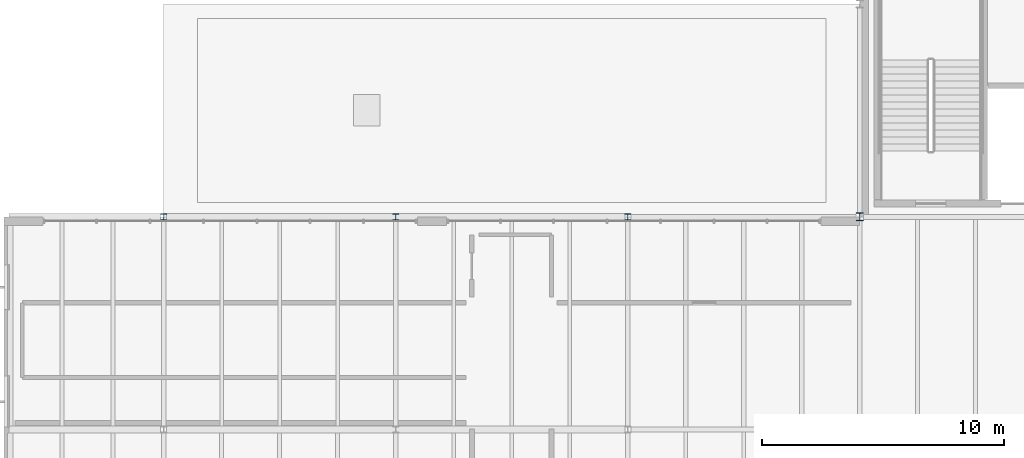
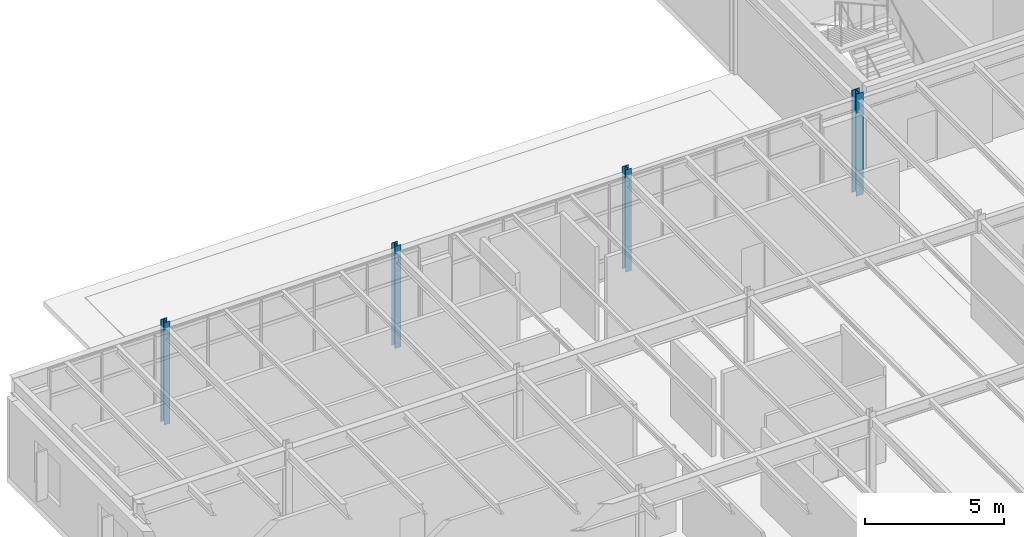
# One storey, part 8 of 69: 4 columns.
"""IFC4 building model written with IfcOpenShell, lengths in metres."""

from ifc_helpers import new_model, si_unit, direction, frame, origin, origin_2d, place, context, subcontext, project, spatial, i_section, extrude, material, material_profile, profile_set, type_object, element, save


model = new_model("IFC4")

# Units and contexts
model_context = context("Model", 3, precision=1e-05, world=origin(), true_north=direction((0.0, 1.0)))
body_context = subcontext(model_context, "Body", "Model", "MODEL_VIEW")
ifc_project = project(units=[si_unit("LENGTHUNIT", "METRE"), si_unit("AREAUNIT", "SQUARE_METRE"), si_unit("VOLUMEUNIT", "CUBIC_METRE"), si_unit("PLANEANGLEUNIT", "RADIAN"), si_unit("MASSUNIT", "GRAM", prefix="KILO")], contexts=[model_context])

# Site, building, storey
site_placement = place(None, origin())
site = spatial("IfcSite", under=ifc_project, at=site_placement, CompositionType="ELEMENT")
building_placement = place(site_placement, origin())
building = spatial("IfcBuilding", under=site, at=building_placement, Name="Sarnbrook Museum", CompositionType="ELEMENT")
storey_placement = place(building_placement, frame((0.0, 0.0, 14.60009765625)))
storey = spatial("IfcBuildingStorey", under=building, at=storey_placement, Name="L03", CompositionType="ELEMENT", Elevation=14.60009765625)

# Columns
ifc_material = material(Name="Structural Steel Grade 300PLUS (AS/NZS 3679.1, fy = 280 MPa for 17 < t <= 40 mm, 300 MPa for t <= 17 mm)", Category="steel")
ifc_material_profile_1 = material_profile(ifc_material, i_section(OverallWidth=0.25390625, OverallDepth=0.25390625, WebThickness=0.008544921875, FlangeThickness=0.01416015625, FilletRadius=0.0126953125, at=origin_2d()), Name="250UC72.9")
ifc_profile_set_1 = profile_set([ifc_material_profile_1], Name="Structural Steel Grade 300PLUS (AS/NZS 3679.1, fy = 280 MPa for 17 < t <= 40 mm, 300 MPa for t <= 17 mm)")
column_type_1 = type_object("IfcColumnType", Name="COL-UC250", PredefinedType="COLUMN", material=ifc_profile_set_1)
for number, where, z_axis, x_axis, name in (
    (1, (13.60009765625, 83.199951171875, 0.0), (0.0, 0.0, 1.0), (1.0, 0.0, 0.0), "Column 2-K L03"),
    (2, (23.199951171875, 83.199951171875, 0.0), (0.0, 0.0, 1.0), (1.0, 0.0, 0.0), "Column 3-K L03"),
    (3, (32.800048828125, 83.199951171875, 0.0), (0.0, 0.0, 1.0), (1.0, 0.0, 0.0), "Column 4-K L03"),
):
    element("IfcColumn", number, at=place(storey_placement, frame(where, z_axis=z_axis, x_axis=x_axis)), inside=storey, type_object=column_type_1, Name=name, PredefinedType="COLUMN", context=body_context, shape_type="SweptSolid", body=[
        extrude(i_section(OverallWidth=0.25390625, OverallDepth=0.25390625, WebThickness=0.008544921875, FlangeThickness=0.01416015625, FilletRadius=0.0126953125, at=origin_2d()), origin(), (0.0, 0.0, 1.0), 4.5),
    ])
ifc_material_profile_2 = material_profile(ifc_material, i_section(OverallWidth=0.306884765625, OverallDepth=0.31494140625, WebThickness=0.011962890625, FlangeThickness=0.018798828125, FilletRadius=0.0166015625, at=origin_2d()), Name="310UC118")
ifc_profile_set_2 = profile_set([ifc_material_profile_2], Name="Structural Steel Grade 300PLUS (AS/NZS 3679.1, fy = 280 MPa for 17 < t <= 40 mm, 300 MPa for t <= 17 mm)")
column_type_2 = type_object("IfcColumnType", Name="COL-UC310", PredefinedType="COLUMN", material=ifc_profile_set_2)
column_placement = place(storey_placement, frame((42.39990234375, 83.199951171875, 0.0), z_axis=(0.0, 0.0, 1.0), x_axis=(1.0, 0.0, 0.0)))
element("IfcColumn", 4, at=column_placement, inside=storey, type_object=column_type_2, Name="Column 5-K L03", PredefinedType="COLUMN", context=body_context, shape_type="SweptSolid", body=[
    extrude(i_section(OverallWidth=0.306884765625, OverallDepth=0.31494140625, WebThickness=0.011962890625, FlangeThickness=0.018798828125, FilletRadius=0.0166015625, at=origin_2d()), origin(), (0.0, 0.0, 1.0), 4.5),
])

save(model, "model.ifc")
